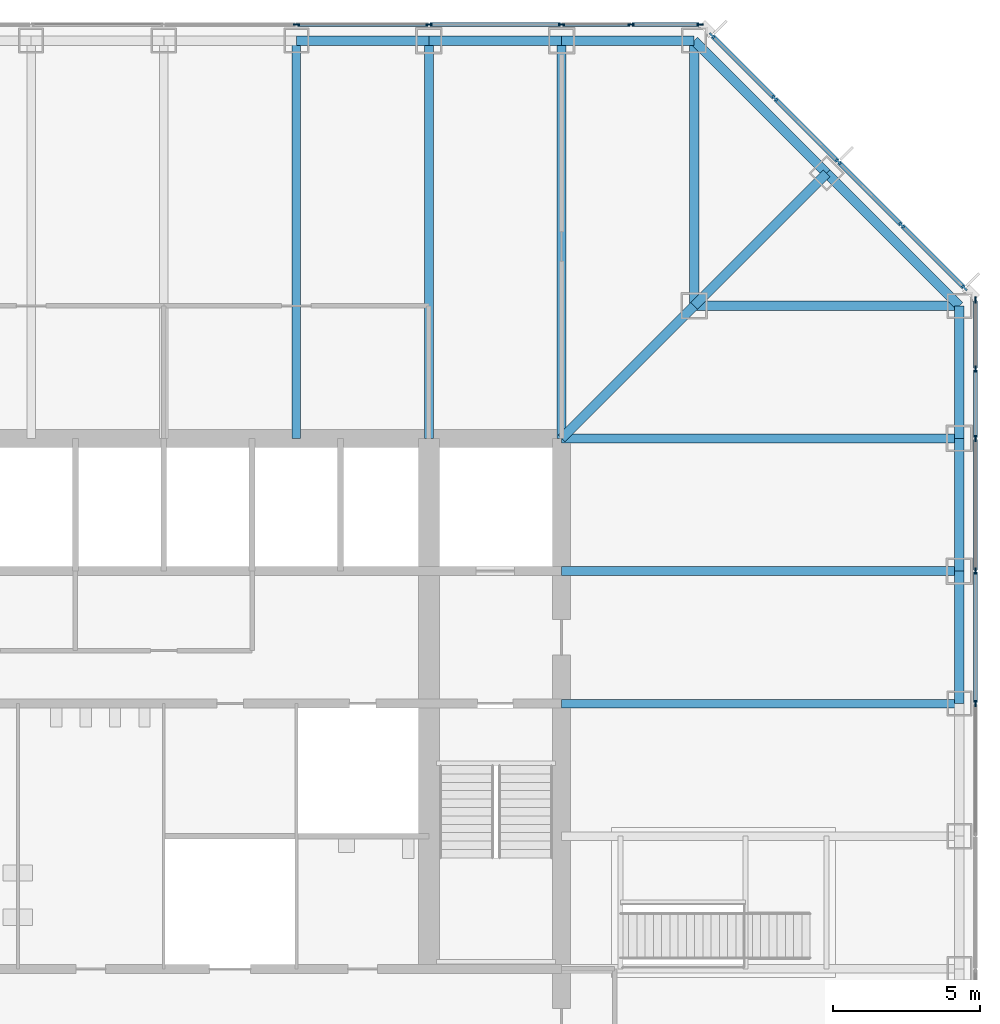
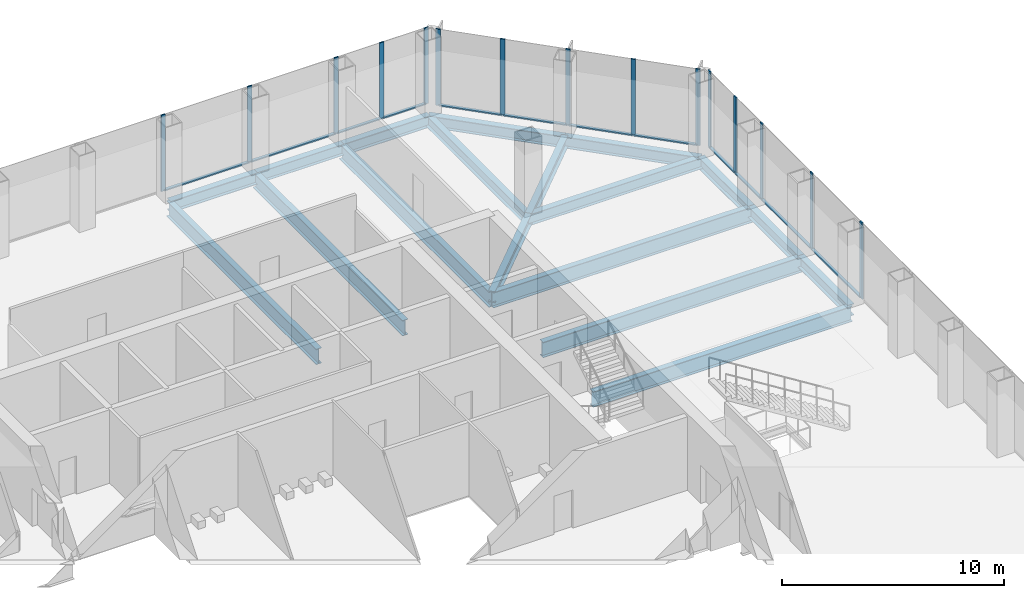
# One storey, part 6 of 12: 27 members, 18 beams, 3 elements without a shape of their own.
"""IFC4 building model written with IfcOpenShell, lengths in metres."""

from ifc_helpers import new_model, si_unit, direction, frame, origin, origin_2d, place, context, subcontext, project, spatial, rectangle, i_section, extrude, material, material_profile, profile_set, type_object, element, aggregate, save


model = new_model("IFC4")

# Units and contexts
model_context = context("Model", 3, precision=1e-05, world=origin(), true_north=direction((0.0, 1.0)))
body_context = subcontext(model_context, "Body", "Model", "MODEL_VIEW")
ifc_project = project(units=[si_unit("LENGTHUNIT", "METRE"), si_unit("AREAUNIT", "SQUARE_METRE"), si_unit("VOLUMEUNIT", "CUBIC_METRE"), si_unit("PLANEANGLEUNIT", "RADIAN"), si_unit("MASSUNIT", "GRAM", prefix="KILO")], contexts=[model_context])

# Site, building, storey
site_placement = place(None, origin())
site = spatial("IfcSite", under=ifc_project, at=site_placement, CompositionType="ELEMENT")
building_placement = place(site_placement, origin())
building = spatial("IfcBuilding", under=site, at=building_placement, Name="Corais Broadcast Tower", CompositionType="ELEMENT")
storey_placement = place(building_placement, frame((0.0, 0.0, 37.39990234375)))
storey = spatial("IfcBuildingStorey", under=building, at=storey_placement, Name="L07", CompositionType="ELEMENT", Elevation=37.39990234375)

# Beams
ifc_material_1 = material(Name="Steel ASTM A572 Grade 50", Category="steel")
ifc_material_profile_1 = material_profile(ifc_material_1, i_section(OverallWidth=0.323974609375, OverallDepth=0.611083984375, WebThickness=0.0126953125, FlangeThickness=0.01904296875, at=origin_2d()), Name="W610x155")
ifc_profile_set_1 = profile_set([ifc_material_profile_1], Name="Steel ASTM A572 Grade 50")
beam_type_1 = type_object("IfcBeamType", Name="Chamfer tie W610x155", PredefinedType="BEAM", material=ifc_profile_set_1)
beam_1_placement = place(storey_placement, frame((49.5, 49.5, -0.46533203125), z_axis=(-0.707106781187, -0.707106781187, 0.0), x_axis=(0.707106781187, -0.707106781187, 0.0)))
element("IfcBeam", 1, at=beam_1_placement, inside=storey, type_object=beam_type_1, Name="B5 M/14 to L/13", PredefinedType="BEAM", context=body_context, shape_type="SweptSolid", body=[
    extrude(i_section(OverallWidth=0.323974609375, OverallDepth=0.611083984375, WebThickness=0.0126953125, FlangeThickness=0.01904296875, at=origin_2d()), origin(), (0.0, 0.0, 1.0), 6.364013671875),
])
ifc_material_2 = material(Name="Steel ASTM A572 Grade 50", Category="steel")
ifc_material_profile_2 = material_profile(ifc_material_2, i_section(OverallWidth=0.323974609375, OverallDepth=0.611083984375, WebThickness=0.0126953125, FlangeThickness=0.01904296875, at=origin_2d()), Name="W610x155")
ifc_profile_set_2 = profile_set([ifc_material_profile_2], Name="Steel ASTM A572 Grade 50")
beam_type_2 = type_object("IfcBeamType", Name="Corner diagonal W610x155", PredefinedType="BEAM", material=ifc_profile_set_2)
beam_2_placement = place(storey_placement, frame((45.0, 45.0, -0.46533203125), z_axis=(-0.707106781187, -0.707106781187, 0.0), x_axis=(0.707106781187, -0.707106781187, 0.0)))
element("IfcBeam", 2, at=beam_2_placement, inside=storey, type_object=beam_type_2, Name="B6 L/13 to K/12", PredefinedType="BEAM", context=body_context, shape_type="SweptSolid", body=[
    extrude(i_section(OverallWidth=0.323974609375, OverallDepth=0.611083984375, WebThickness=0.0126953125, FlangeThickness=0.01904296875, at=origin_2d()), origin(), (0.0, 0.0, 1.0), 6.364013671875),
])
ifc_material_3 = material(Name="Steel ASTM A572 Grade 50", Category="steel")
ifc_material_profile_3 = material_profile(ifc_material_3, i_section(OverallWidth=0.323974609375, OverallDepth=0.611083984375, WebThickness=0.0126953125, FlangeThickness=0.01904296875, at=origin_2d()), Name="W610x155")
ifc_profile_set_3 = profile_set([ifc_material_profile_3], Name="Steel ASTM A572 Grade 50")
beam_type_3 = type_object("IfcBeamType", Name="Corner girder W610x155", PredefinedType="BEAM", material=ifc_profile_set_3)
for number, where, z_axis, x_axis, name in (
    (3, (45.0, 54.0, -0.46533203125), (0.0, -1.0, 0.0), (1.0, 0.0, 0.0), "B4 N/13 to L/13"),
    (4, (54.0, 45.0, -0.46533203125), (-1.0, 0.0, 0.0), (0.0, -1.0, 0.0), "B4 L/15 to L/13"),
):
    element("IfcBeam", number, at=place(storey_placement, frame(where, z_axis=z_axis, x_axis=x_axis)), inside=storey, type_object=beam_type_3, Name=name, PredefinedType="BEAM", context=body_context, shape_type="SweptSolid", body=[
        extrude(i_section(OverallWidth=0.323974609375, OverallDepth=0.611083984375, WebThickness=0.0126953125, FlangeThickness=0.01904296875, at=origin_2d()), origin(), (0.0, 0.0, 1.0), 9.0),
    ])
ifc_material_4 = material(Name="Steel ASTM A572 Grade 50", Category="steel")
ifc_material_profile_4 = material_profile(ifc_material_4, i_section(OverallWidth=0.2939453125, OverallDepth=0.85107421875, WebThickness=0.01611328125, FlangeThickness=0.02685546875, at=origin_2d()), Name="W840x226")
ifc_profile_set_4 = profile_set([ifc_material_profile_4], Name="Steel ASTM A572 Grade 50")
beam_type_4 = type_object("IfcBeamType", Name="Floor beam W840x226", PredefinedType="BEAM", material=ifc_profile_set_4)
for number, where, z_axis, x_axis, name in (
    (5, (31.5, 54.0, -0.58544921875), (0.0, -1.0, 0.0), (1.0, 0.0, 0.0), "B1 N/10 to K/10"),
    (6, (36.0, 54.0, -0.58544921875), (0.0, -1.0, 0.0), (1.0, 0.0, 0.0), "B1 N/11 to K/11"),
    (7, (40.5, 54.0, -0.58544921875), (0.0, -1.0, 0.0), (1.0, 0.0, 0.0), "B1 N/12 to K/12"),
    (8, (54.0, 31.5, -0.58544921875), (-1.0, 0.0, 0.0), (0.0, -1.0, 0.0), "B1 H/15 to H/12"),
    (9, (54.0, 36.0, -0.58544921875), (-1.0, 0.0, 0.0), (0.0, -1.0, 0.0), "B1 J/15 to J/12"),
    (10, (54.0, 40.5, -0.58544921875), (-1.0, 0.0, 0.0), (0.0, -1.0, 0.0), "B1 K/15 to K/12"),
):
    element("IfcBeam", number, at=place(storey_placement, frame(where, z_axis=z_axis, x_axis=x_axis)), inside=storey, type_object=beam_type_4, Name=name, PredefinedType="BEAM", context=body_context, shape_type="SweptSolid", body=[
        extrude(i_section(OverallWidth=0.2939453125, OverallDepth=0.85107421875, WebThickness=0.01611328125, FlangeThickness=0.02685546875, at=origin_2d()), origin(), (0.0, 0.0, 1.0), 13.5),
    ])

# Curtain wall, members
ifc_material_5 = material(Name="Aluminium and glass", Category="aluminium")
curtain_wall_type = type_object("IfcCurtainWallType", Name="Newsroom clear-glass curtain wall CW7", PredefinedType="NOTDEFINED", material=ifc_material_5)
curtain_wall_1_placement = place(storey_placement, origin())
curtain_wall_1 = element("IfcCurtainWall", 11, at=curtain_wall_1_placement, inside=storey, type_object=curtain_wall_type, Name="CW7 curtain wall L07 4", PredefinedType="NOTDEFINED")
ifc_material_6 = material(Name="Aluminium 6063-T6", Category="aluminium")
ifc_material_profile_5 = material_profile(ifc_material_6, rectangle(XDim=0.06494140625, YDim=0.219970703125, at=origin_2d()), Name="Mullion CW7 65x220")
ifc_profile_set_5 = profile_set([ifc_material_profile_5], Name="Aluminium 6063-T6")
member_type_1 = type_object("IfcMemberType", Name="Mullion CW7 65x220", PredefinedType="MULLION", material=ifc_profile_set_5)
member_1_placement = place(storey_placement, frame((31.5, 54.550048828125, 0.0), z_axis=(0.0, 0.0, 1.0), x_axis=(0.0, 1.0, 0.0)))
member_1 = element("IfcMember", 12, at=member_1_placement, type_object=member_type_1, Name="CW7 mullion 7", PredefinedType="MULLION", context=body_context, shape_type="SweptSolid", body=[
    extrude(rectangle(XDim=0.06494140625, YDim=0.219970703125, at=origin_2d()), origin(), (0.0, 0.0, 1.0), 4.2001953125),
])
member_2_placement = place(storey_placement, frame((36.0, 54.550048828125, 0.0), z_axis=(0.0, 0.0, 1.0), x_axis=(0.0, 1.0, 0.0)))
member_2 = element("IfcMember", 13, at=member_2_placement, type_object=member_type_1, Name="CW7 mullion 8", PredefinedType="MULLION", context=body_context, shape_type="SweptSolid", body=[
    extrude(rectangle(XDim=0.06494140625, YDim=0.219970703125, at=origin_2d()), origin(), (0.0, 0.0, 1.0), 4.2001953125),
])
member_3_placement = place(storey_placement, frame((40.5, 54.550048828125, 0.0), z_axis=(0.0, 0.0, 1.0), x_axis=(0.0, 1.0, 0.0)))
member_3 = element("IfcMember", 14, at=member_3_placement, type_object=member_type_1, Name="CW7 mullion 9", PredefinedType="MULLION", context=body_context, shape_type="SweptSolid", body=[
    extrude(rectangle(XDim=0.06494140625, YDim=0.219970703125, at=origin_2d()), origin(), (0.0, 0.0, 1.0), 4.2001953125),
])
member_4_placement = place(storey_placement, frame((42.864013671875, 54.550048828125, 0.0), z_axis=(0.0, 0.0, 1.0), x_axis=(0.0, 1.0, 0.0)))
member_4 = element("IfcMember", 15, at=member_4_placement, type_object=member_type_1, Name="CW7 mullion 10", PredefinedType="MULLION", context=body_context, shape_type="SweptSolid", body=[
    extrude(rectangle(XDim=0.06494140625, YDim=0.219970703125, at=origin_2d()), origin(), (0.0, 0.0, 1.0), 4.2001953125),
])
member_5_placement = place(storey_placement, frame((45.1953125, 54.550048828125, 0.0), z_axis=(0.0, 0.0, 1.0), x_axis=(0.0, 1.0, 0.0)))
member_5 = element("IfcMember", 16, at=member_5_placement, type_object=member_type_1, Name="CW7 mullion 11", PredefinedType="MULLION", context=body_context, shape_type="SweptSolid", body=[
    extrude(rectangle(XDim=0.06494140625, YDim=0.219970703125, at=origin_2d()), origin(), (0.0, 0.0, 1.0), 4.2001953125),
])

curtain_wall_2_placement = place(storey_placement, origin())
curtain_wall_2 = element("IfcCurtainWall", 17, at=curtain_wall_2_placement, inside=storey, type_object=curtain_wall_type, Name="CW7 curtain wall L07 5", PredefinedType="NOTDEFINED")
member_6_placement = place(storey_placement, frame((45.6044921875, 54.17333984375, 0.0), z_axis=(0.0, 0.0, 1.0), x_axis=(0.707106781187, 0.707106781187, 0.0)))
member_6 = element("IfcMember", 18, at=member_6_placement, type_object=member_type_1, Name="CW7 mullion 1", PredefinedType="MULLION", context=body_context, shape_type="SweptSolid", body=[
    extrude(rectangle(XDim=0.06494140625, YDim=0.219970703125, at=origin_2d()), origin(), (0.0, 0.0, 1.0), 4.2001953125),
])
member_7_placement = place(storey_placement, frame((47.735107421875, 52.042724609375, 0.0), z_axis=(0.0, 0.0, 1.0), x_axis=(0.707106781187, 0.707106781187, 0.0)))
member_7 = element("IfcMember", 19, at=member_7_placement, type_object=member_type_1, Name="CW7 mullion 2", PredefinedType="MULLION", context=body_context, shape_type="SweptSolid", body=[
    extrude(rectangle(XDim=0.06494140625, YDim=0.219970703125, at=origin_2d()), origin(), (0.0, 0.0, 1.0), 4.2001953125),
])
member_8_placement = place(storey_placement, frame((49.888916015625, 49.888916015625, 0.0), z_axis=(0.0, 0.0, 1.0), x_axis=(0.707106781187, 0.707106781187, 0.0)))
member_8 = element("IfcMember", 20, at=member_8_placement, type_object=member_type_1, Name="CW7 mullion 3", PredefinedType="MULLION", context=body_context, shape_type="SweptSolid", body=[
    extrude(rectangle(XDim=0.06494140625, YDim=0.219970703125, at=origin_2d()), origin(), (0.0, 0.0, 1.0), 4.2001953125),
])
member_9_placement = place(storey_placement, frame((52.042724609375, 47.735107421875, 0.0), z_axis=(0.0, 0.0, 1.0), x_axis=(0.707106781187, 0.707106781187, 0.0)))
member_9 = element("IfcMember", 21, at=member_9_placement, type_object=member_type_1, Name="CW7 mullion 4", PredefinedType="MULLION", context=body_context, shape_type="SweptSolid", body=[
    extrude(rectangle(XDim=0.06494140625, YDim=0.219970703125, at=origin_2d()), origin(), (0.0, 0.0, 1.0), 4.2001953125),
])
member_10_placement = place(storey_placement, frame((54.17333984375, 45.6044921875, 0.0), z_axis=(0.0, 0.0, 1.0), x_axis=(0.707106781187, 0.707106781187, 0.0)))
member_10 = element("IfcMember", 22, at=member_10_placement, type_object=member_type_1, Name="CW7 mullion 5", PredefinedType="MULLION", context=body_context, shape_type="SweptSolid", body=[
    extrude(rectangle(XDim=0.06494140625, YDim=0.219970703125, at=origin_2d()), origin(), (0.0, 0.0, 1.0), 4.2001953125),
])

curtain_wall_3_placement = place(storey_placement, origin())
curtain_wall_3 = element("IfcCurtainWall", 23, at=curtain_wall_3_placement, inside=storey, type_object=curtain_wall_type, Name="CW7 curtain wall L07 6", PredefinedType="NOTDEFINED")
member_11_placement = place(storey_placement, frame((54.550048828125, 45.1953125, 0.0), z_axis=(0.0, 0.0, 1.0), x_axis=(1.0, 0.0, 0.0)))
member_11 = element("IfcMember", 24, at=member_11_placement, type_object=member_type_1, Name="CW7 mullion 1", PredefinedType="MULLION", context=body_context, shape_type="SweptSolid", body=[
    extrude(rectangle(XDim=0.06494140625, YDim=0.219970703125, at=origin_2d()), origin(), (0.0, 0.0, 1.0), 4.2001953125),
])
member_12_placement = place(storey_placement, frame((54.550048828125, 42.864013671875, 0.0), z_axis=(0.0, 0.0, 1.0), x_axis=(1.0, 0.0, 0.0)))
member_12 = element("IfcMember", 25, at=member_12_placement, type_object=member_type_1, Name="CW7 mullion 2", PredefinedType="MULLION", context=body_context, shape_type="SweptSolid", body=[
    extrude(rectangle(XDim=0.06494140625, YDim=0.219970703125, at=origin_2d()), origin(), (0.0, 0.0, 1.0), 4.2001953125),
])
member_13_placement = place(storey_placement, frame((54.550048828125, 40.5, 0.0), z_axis=(0.0, 0.0, 1.0), x_axis=(1.0, 0.0, 0.0)))
member_13 = element("IfcMember", 26, at=member_13_placement, type_object=member_type_1, Name="CW7 mullion 3", PredefinedType="MULLION", context=body_context, shape_type="SweptSolid", body=[
    extrude(rectangle(XDim=0.06494140625, YDim=0.219970703125, at=origin_2d()), origin(), (0.0, 0.0, 1.0), 4.2001953125),
])
member_14_placement = place(storey_placement, frame((54.550048828125, 36.0, 0.0), z_axis=(0.0, 0.0, 1.0), x_axis=(1.0, 0.0, 0.0)))
member_14 = element("IfcMember", 27, at=member_14_placement, type_object=member_type_1, Name="CW7 mullion 4", PredefinedType="MULLION", context=body_context, shape_type="SweptSolid", body=[
    extrude(rectangle(XDim=0.06494140625, YDim=0.219970703125, at=origin_2d()), origin(), (0.0, 0.0, 1.0), 4.2001953125),
])
member_15_placement = place(storey_placement, frame((54.550048828125, 31.5, 0.0), z_axis=(0.0, 0.0, 1.0), x_axis=(1.0, 0.0, 0.0)))
member_15 = element("IfcMember", 28, at=member_15_placement, type_object=member_type_1, Name="CW7 mullion 5", PredefinedType="MULLION", context=body_context, shape_type="SweptSolid", body=[
    extrude(rectangle(XDim=0.06494140625, YDim=0.219970703125, at=origin_2d()), origin(), (0.0, 0.0, 1.0), 4.2001953125),
])

# Beams
ifc_material_7 = material(Name="Steel ASTM A572 Grade 50", Category="steel")
ifc_material_profile_6 = material_profile(ifc_material_7, i_section(OverallWidth=0.323974609375, OverallDepth=0.611083984375, WebThickness=0.0126953125, FlangeThickness=0.01904296875, at=origin_2d()), Name="W610x155")
ifc_profile_set_6 = profile_set([ifc_material_profile_6], Name="Steel ASTM A572 Grade 50")
beam_type_5 = type_object("IfcBeamType", Name="Pinned spandrel W610x155", PredefinedType="BEAM", material=ifc_profile_set_6)
for number, where, z_axis, x_axis, name in (
    (29, (40.5, 54.0, -0.46533203125), (-1.0, 0.0, 0.0), (0.0, -1.0, 0.0), "SB6 N/12 to N/11"),
    (30, (54.0, 36.0, -0.46533203125), (0.0, 1.0, 0.0), (-1.0, 0.0, 0.0), "SB6 J/15 to K/15"),
):
    element("IfcBeam", number, at=place(storey_placement, frame(where, z_axis=z_axis, x_axis=x_axis)), inside=storey, type_object=beam_type_5, Name=name, PredefinedType="BEAM", context=body_context, shape_type="SweptSolid", body=[
        extrude(i_section(OverallWidth=0.323974609375, OverallDepth=0.611083984375, WebThickness=0.0126953125, FlangeThickness=0.01904296875, at=origin_2d()), origin(), (0.0, 0.0, 1.0), 4.5),
    ])
ifc_material_8 = material(Name="Steel ASTM A572 Grade 50", Category="steel")
ifc_material_profile_7 = material_profile(ifc_material_8, i_section(OverallWidth=0.3291015625, OverallDepth=0.635009765625, WebThickness=0.017822265625, FlangeThickness=0.031005859375, at=origin_2d()), Name="W610x241")
ifc_profile_set_7 = profile_set([ifc_material_profile_7], Name="Steel ASTM A572 Grade 50")
beam_type_6 = type_object("IfcBeamType", Name="Spandrel W610x241", PredefinedType="BEAM", material=ifc_profile_set_7)
for number, where, z_axis, x_axis, name in (
    (31, (36.0, 54.0, -0.477294921875), (-1.0, 0.0, 0.0), (0.0, -1.0, 0.0), "SB1 N/11 to N/10"),
    (32, (45.0, 54.0, -0.477294921875), (-1.0, 0.0, 0.0), (0.0, -1.0, 0.0), "SB1 N/13 to N/12"),
):
    element("IfcBeam", number, at=place(storey_placement, frame(where, z_axis=z_axis, x_axis=x_axis)), inside=storey, type_object=beam_type_6, Name=name, PredefinedType="BEAM", context=body_context, shape_type="SweptSolid", body=[
        extrude(i_section(OverallWidth=0.3291015625, OverallDepth=0.635009765625, WebThickness=0.017822265625, FlangeThickness=0.031005859375, at=origin_2d()), origin(), (0.0, 0.0, 1.0), 4.5),
    ])
beam_3_placement = place(storey_placement, frame((49.5, 49.5, -0.477294921875), z_axis=(-0.707106781187, 0.707106781187, 0.0), x_axis=(-0.707106781187, -0.707106781187, 0.0)))
element("IfcBeam", 33, at=beam_3_placement, inside=storey, type_object=beam_type_6, Name="SB1 M/14 to N/13", PredefinedType="BEAM", context=body_context, shape_type="SweptSolid", body=[
    extrude(i_section(OverallWidth=0.3291015625, OverallDepth=0.635009765625, WebThickness=0.017822265625, FlangeThickness=0.031005859375, at=origin_2d()), origin(), (0.0, 0.0, 1.0), 6.364013671875),
])
for number, where, z_axis, x_axis, name in (
    (34, (54.0, 31.5, -0.477294921875), (0.0, 1.0, 0.0), (-1.0, 0.0, 0.0), "SB1 H/15 to J/15"),
    (35, (54.0, 40.5, -0.477294921875), (0.0, 1.0, 0.0), (-1.0, 0.0, 0.0), "SB1 K/15 to L/15"),
):
    element("IfcBeam", number, at=place(storey_placement, frame(where, z_axis=z_axis, x_axis=x_axis)), inside=storey, type_object=beam_type_6, Name=name, PredefinedType="BEAM", context=body_context, shape_type="SweptSolid", body=[
        extrude(i_section(OverallWidth=0.3291015625, OverallDepth=0.635009765625, WebThickness=0.017822265625, FlangeThickness=0.031005859375, at=origin_2d()), origin(), (0.0, 0.0, 1.0), 4.5),
    ])
beam_4_placement = place(storey_placement, frame((54.0, 45.0, -0.477294921875), z_axis=(-0.707106781187, 0.707106781187, 0.0), x_axis=(-0.707106781187, -0.707106781187, 0.0)))
element("IfcBeam", 36, at=beam_4_placement, inside=storey, type_object=beam_type_6, Name="SB1 L/15 to M/14", PredefinedType="BEAM", context=body_context, shape_type="SweptSolid", body=[
    extrude(i_section(OverallWidth=0.3291015625, OverallDepth=0.635009765625, WebThickness=0.017822265625, FlangeThickness=0.031005859375, at=origin_2d()), origin(), (0.0, 0.0, 1.0), 6.364013671875),
])

# Member
ifc_material_9 = material(Name="Aluminium 6063-T6", Category="aluminium")
ifc_material_profile_8 = material_profile(ifc_material_9, rectangle(XDim=0.14990234375, YDim=0.06494140625, at=origin_2d()), Name="Transom CW7 65x150")
ifc_profile_set_8 = profile_set([ifc_material_profile_8], Name="Aluminium 6063-T6")
member_type_2 = type_object("IfcMemberType", Name="Transom CW7 65x150", PredefinedType="USERDEFINED", material=ifc_profile_set_8)
member_16_placement = place(storey_placement, frame((31.532470703125, 54.550048828125, 0.03271484375), z_axis=(1.0, 0.0, 0.0), x_axis=(0.0, 1.0, 0.0)))
member_16 = element("IfcMember", 37, at=member_16_placement, type_object=member_type_2, Name="CW7 transom 7.1", ObjectType="TRANSOM", PredefinedType="USERDEFINED", context=body_context, shape_type="SweptSolid", body=[
    extrude(rectangle(XDim=0.14990234375, YDim=0.06494140625, at=origin_2d()), origin(), (0.0, 0.0, 1.0), 4.43505859375),
])

member_17_placement = place(storey_placement, frame((36.032470703125, 54.550048828125, 0.03271484375), z_axis=(1.0, 0.0, 0.0), x_axis=(0.0, 1.0, 0.0)))
member_17 = element("IfcMember", 38, at=member_17_placement, type_object=member_type_2, Name="CW7 transom 8.1", ObjectType="TRANSOM", PredefinedType="USERDEFINED", context=body_context, shape_type="SweptSolid", body=[
    extrude(rectangle(XDim=0.14990234375, YDim=0.06494140625, at=origin_2d()), origin(), (0.0, 0.0, 1.0), 4.43505859375),
])

member_18_placement = place(storey_placement, frame((40.532470703125, 54.550048828125, 0.03271484375), z_axis=(1.0, 0.0, 0.0), x_axis=(0.0, 1.0, 0.0)))
member_18 = element("IfcMember", 39, at=member_18_placement, type_object=member_type_2, Name="CW7 transom 9.1", ObjectType="TRANSOM", PredefinedType="USERDEFINED", context=body_context, shape_type="SweptSolid", body=[
    extrude(rectangle(XDim=0.14990234375, YDim=0.06494140625, at=origin_2d()), origin(), (0.0, 0.0, 1.0), 2.298828125),
])

member_19_placement = place(storey_placement, frame((42.896484375, 54.550048828125, 0.03271484375), z_axis=(1.0, 0.0, 0.0), x_axis=(0.0, 1.0, 0.0)))
member_19 = element("IfcMember", 40, at=member_19_placement, type_object=member_type_2, Name="CW7 transom 10.1", ObjectType="TRANSOM", PredefinedType="USERDEFINED", context=body_context, shape_type="SweptSolid", body=[
    extrude(rectangle(XDim=0.14990234375, YDim=0.06494140625, at=origin_2d()), origin(), (0.0, 0.0, 1.0), 2.266357421875),
])

aggregate(curtain_wall_1, [member_1, member_2, member_3, member_4, member_5, member_16, member_17, member_18, member_19])

member_20_placement = place(storey_placement, frame((45.62744140625, 54.150390625, 0.03271484375), z_axis=(0.707106781187, -0.707106781187, 0.0), x_axis=(0.707106781187, 0.707106781187, 0.0)))
member_20 = element("IfcMember", 41, at=member_20_placement, type_object=member_type_2, Name="CW7 transom 1.1", ObjectType="TRANSOM", PredefinedType="USERDEFINED", context=body_context, shape_type="SweptSolid", body=[
    extrude(rectangle(XDim=0.14990234375, YDim=0.06494140625, at=origin_2d()), origin(), (0.0, 0.0, 1.0), 2.9482421875),
])

member_21_placement = place(storey_placement, frame((47.758056640625, 52.019775390625, 0.03271484375), z_axis=(0.707106781187, -0.707106781187, 0.0), x_axis=(0.707106781187, 0.707106781187, 0.0)))
member_21 = element("IfcMember", 42, at=member_21_placement, type_object=member_type_2, Name="CW7 transom 2.1", ObjectType="TRANSOM", PredefinedType="USERDEFINED", context=body_context, shape_type="SweptSolid", body=[
    extrude(rectangle(XDim=0.14990234375, YDim=0.06494140625, at=origin_2d()), origin(), (0.0, 0.0, 1.0), 2.98095703125),
])

member_22_placement = place(storey_placement, frame((49.911865234375, 49.865966796875, 0.03271484375), z_axis=(0.707106781187, -0.707106781187, 0.0), x_axis=(0.707106781187, 0.707106781187, 0.0)))
member_22 = element("IfcMember", 43, at=member_22_placement, type_object=member_type_2, Name="CW7 transom 3.1", ObjectType="TRANSOM", PredefinedType="USERDEFINED", context=body_context, shape_type="SweptSolid", body=[
    extrude(rectangle(XDim=0.14990234375, YDim=0.06494140625, at=origin_2d()), origin(), (0.0, 0.0, 1.0), 2.98095703125),
])

member_23_placement = place(storey_placement, frame((52.065673828125, 47.712158203125, 0.03271484375), z_axis=(0.707106781187, -0.707106781187, 0.0), x_axis=(0.707106781187, 0.707106781187, 0.0)))
member_23 = element("IfcMember", 44, at=member_23_placement, type_object=member_type_2, Name="CW7 transom 4.1", ObjectType="TRANSOM", PredefinedType="USERDEFINED", context=body_context, shape_type="SweptSolid", body=[
    extrude(rectangle(XDim=0.14990234375, YDim=0.06494140625, at=origin_2d()), origin(), (0.0, 0.0, 1.0), 2.9482421875),
])

aggregate(curtain_wall_2, [member_6, member_7, member_8, member_9, member_10, member_20, member_21, member_22, member_23])

member_24_placement = place(storey_placement, frame((54.550048828125, 45.162841796875, 0.03271484375), z_axis=(0.0, -1.0, 0.0), x_axis=(1.0, 0.0, 0.0)))
member_24 = element("IfcMember", 45, at=member_24_placement, type_object=member_type_2, Name="CW7 transom 1.1", ObjectType="TRANSOM", PredefinedType="USERDEFINED", context=body_context, shape_type="SweptSolid", body=[
    extrude(rectangle(XDim=0.14990234375, YDim=0.06494140625, at=origin_2d()), origin(), (0.0, 0.0, 1.0), 2.266357421875),
])

member_25_placement = place(storey_placement, frame((54.550048828125, 42.831298828125, 0.03271484375), z_axis=(0.0, -1.0, 0.0), x_axis=(1.0, 0.0, 0.0)))
member_25 = element("IfcMember", 46, at=member_25_placement, type_object=member_type_2, Name="CW7 transom 2.1", ObjectType="TRANSOM", PredefinedType="USERDEFINED", context=body_context, shape_type="SweptSolid", body=[
    extrude(rectangle(XDim=0.14990234375, YDim=0.06494140625, at=origin_2d()), origin(), (0.0, 0.0, 1.0), 2.298828125),
])

member_26_placement = place(storey_placement, frame((54.550048828125, 40.467529296875, 0.03271484375), z_axis=(0.0, -1.0, 0.0), x_axis=(1.0, 0.0, 0.0)))
member_26 = element("IfcMember", 47, at=member_26_placement, type_object=member_type_2, Name="CW7 transom 3.1", ObjectType="TRANSOM", PredefinedType="USERDEFINED", context=body_context, shape_type="SweptSolid", body=[
    extrude(rectangle(XDim=0.14990234375, YDim=0.06494140625, at=origin_2d()), origin(), (0.0, 0.0, 1.0), 4.43505859375),
])

member_27_placement = place(storey_placement, frame((54.550048828125, 35.967529296875, 0.03271484375), z_axis=(0.0, -1.0, 0.0), x_axis=(1.0, 0.0, 0.0)))
member_27 = element("IfcMember", 48, at=member_27_placement, type_object=member_type_2, Name="CW7 transom 4.1", ObjectType="TRANSOM", PredefinedType="USERDEFINED", context=body_context, shape_type="SweptSolid", body=[
    extrude(rectangle(XDim=0.14990234375, YDim=0.06494140625, at=origin_2d()), origin(), (0.0, 0.0, 1.0), 4.43505859375),
])

aggregate(curtain_wall_3, [member_11, member_12, member_13, member_14, member_15, member_24, member_25, member_26, member_27])

save(model, "model.ifc")
